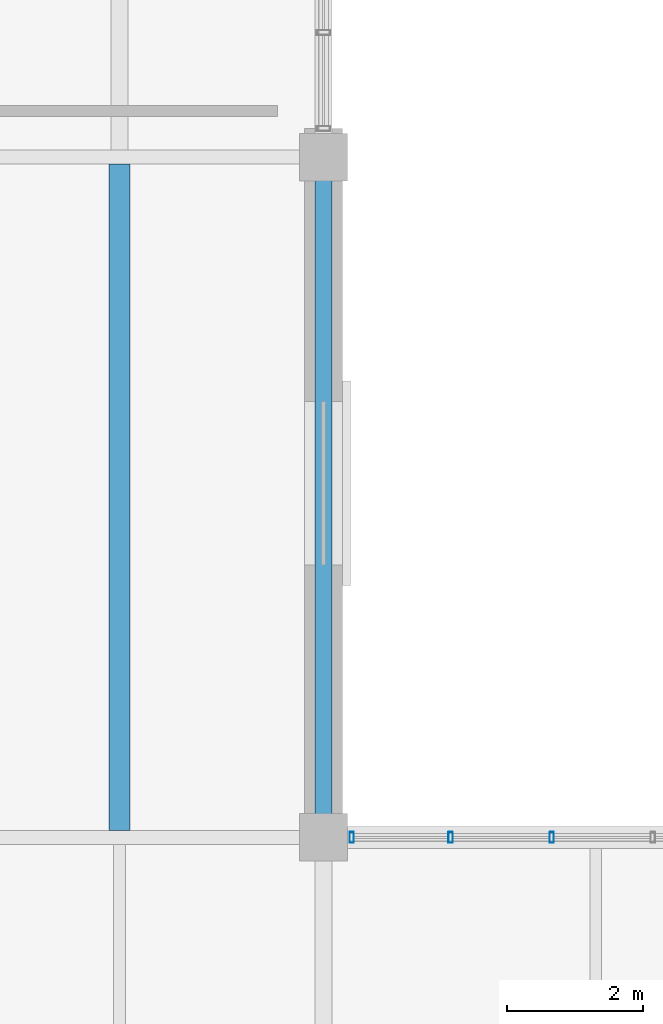
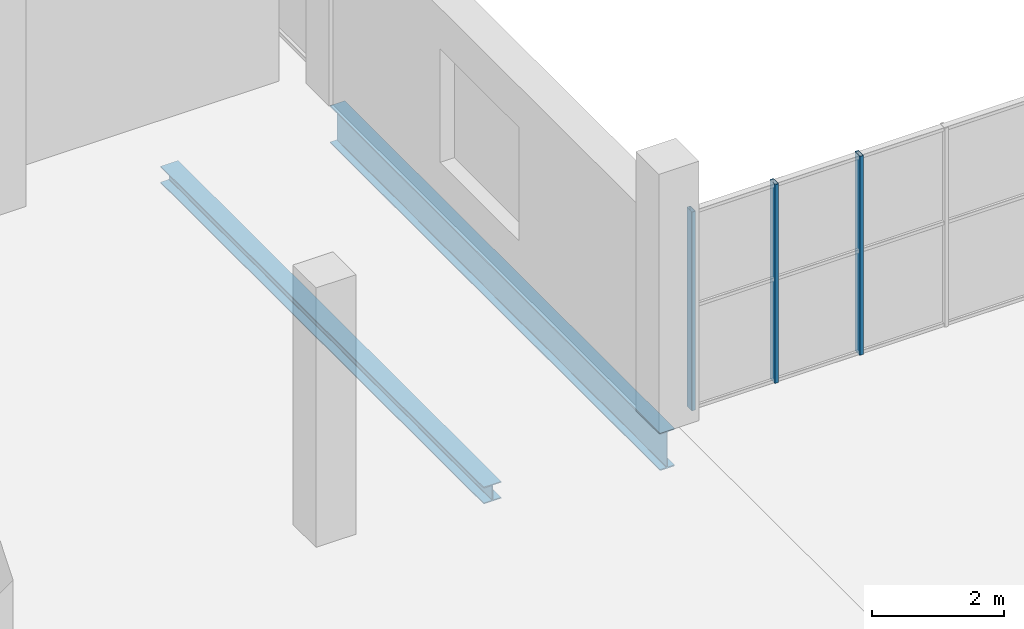
# One storey, part 21 of 114: 3 members, 2 beams, 1 element without a shape of its own.
"""IFC4 building model written with IfcOpenShell, lengths in metres."""

from ifc_helpers import new_model, si_unit, direction, frame, origin, origin_2d, place, context, subcontext, project, spatial, hollow_rectangle, i_section, extrude, material, material_profile, profile_set, type_object, element, aggregate, save


model = new_model("IFC4")

# Units and contexts
model_context = context("Model", 3, precision=1e-05, world=origin(), true_north=direction((0.0, 1.0)))
body_context = subcontext(model_context, "Body", "Model", "MODEL_VIEW")
ifc_project = project(units=[si_unit("LENGTHUNIT", "METRE"), si_unit("AREAUNIT", "SQUARE_METRE"), si_unit("VOLUMEUNIT", "CUBIC_METRE"), si_unit("PLANEANGLEUNIT", "RADIAN"), si_unit("MASSUNIT", "GRAM", prefix="KILO")], contexts=[model_context])

# Site, building, storey
site_placement = place(None, origin())
site = spatial("IfcSite", under=ifc_project, at=site_placement, CompositionType="ELEMENT")
building_placement = place(site_placement, origin())
building = spatial("IfcBuilding", under=site, at=building_placement, Name="Verrall Gate Interchange", CompositionType="ELEMENT")
storey_placement = place(building_placement, frame((0.0, 0.0, 6.60009765625)))
storey = spatial("IfcBuildingStorey", under=building, at=storey_placement, Name="L02", CompositionType="ELEMENT", Elevation=6.60009765625)

# Beam
ifc_material_1 = material(Name="Structural Steel CSA G40.21 350WT Cat 4", Category="steel")
ifc_material_profile_1 = material_profile(ifc_material_1, i_section(OverallWidth=0.256103515625, OverallDepth=0.693115234375, WebThickness=0.01318359375, FlangeThickness=0.02001953125, FilletRadius=0.01611328125, at=origin_2d()), Name="W690x170")
ifc_profile_set_1 = profile_set([ifc_material_profile_1], Name="Structural Steel CSA G40.21 350WT Cat 4")
beam_type_1 = type_object("IfcBeamType", Name="B-07 Structural Beam W690x170", PredefinedType="BEAM", material=ifc_profile_set_1)
beam_1_placement = place(storey_placement, frame((36.0, 56.0, -0.626708984375), z_axis=(0.0, 1.0, 0.0), x_axis=(-1.0, 0.0, 0.0)))
element("IfcBeam", 1, at=beam_1_placement, inside=storey, type_object=beam_type_1, Name="L02 Girder BM-L02-1728 (B-07)", PredefinedType="BEAM", context=body_context, shape_type="SweptSolid", body=[
    extrude(i_section(OverallWidth=0.256103515625, OverallDepth=0.693115234375, WebThickness=0.01318359375, FlangeThickness=0.02001953125, FilletRadius=0.01611328125, at=origin_2d()), origin(), (0.0, 0.0, 1.0), 10.0),
])

# Curtain wall, members
ifc_material_2 = material(Name="Thermally Broken Anodized Aluminium Curtain Wall Framing", Category="aluminium")
curtain_wall_type = type_object("IfcCurtainWallType", Name="CW-22 Unitized Curtain Wall 7434x3680", PredefinedType="NOTDEFINED", material=ifc_material_2)
curtain_wall_placement = place(storey_placement, origin())
curtain_wall = element("IfcCurtainWall", 2, at=curtain_wall_placement, inside=storey, type_object=curtain_wall_type, Name="L02 Unitized Curtain Wall CW-L02-084", PredefinedType="NOTDEFINED")
ifc_material_3 = material(Name="Thermally Broken Anodized Aluminium Curtain Wall Framing", Category="aluminium")
ifc_material_profile_2 = material_profile(ifc_material_3, hollow_rectangle(XDim=0.06494140625, YDim=0.159912109375, WallThickness=0.00390625, InnerFilletRadius=0.00390625, OuterFilletRadius=0.008056640625, at=origin_2d()), Name="CWM160x65x4")
ifc_profile_set_2 = profile_set([ifc_material_profile_2], Name="Thermally Broken Anodized Aluminium Curtain Wall Framing")
member_type = type_object("IfcMemberType", Name="CM-01 Curtain Mullion CWM160x65x4", PredefinedType="MULLION", material=ifc_profile_set_2)
member_1_placement = place(storey_placement, frame((39.35546875, 56.0, 0.0), z_axis=(0.0, 0.0, 1.0), x_axis=(-1.0, 0.0, 0.0)))
member_1 = element("IfcMember", 3, at=member_1_placement, type_object=member_type, Name="CW-L02-084 Mullion 4", PredefinedType="MULLION", context=body_context, shape_type="SweptSolid", body=[
    extrude(hollow_rectangle(XDim=0.06494140625, YDim=0.159912109375, WallThickness=0.00390625, InnerFilletRadius=0.00390625, OuterFilletRadius=0.008056640625, at=origin_2d()), origin(), (0.0, 0.0, 1.0), 3.679931640625),
])
member_2_placement = place(storey_placement, frame((37.86865234375, 56.0, 0.0), z_axis=(0.0, 0.0, 1.0), x_axis=(-1.0, 0.0, 0.0)))
member_2 = element("IfcMember", 4, at=member_2_placement, type_object=member_type, Name="CW-L02-084 Mullion 5", PredefinedType="MULLION", context=body_context, shape_type="SweptSolid", body=[
    extrude(hollow_rectangle(XDim=0.06494140625, YDim=0.159912109375, WallThickness=0.00390625, InnerFilletRadius=0.00390625, OuterFilletRadius=0.008056640625, at=origin_2d()), origin(), (0.0, 0.0, 1.0), 3.679931640625),
])
member_3_placement = place(storey_placement, frame((36.41455078125, 56.0, 0.0), z_axis=(0.0, 0.0, 1.0), x_axis=(-1.0, 0.0, 0.0)))
member_3 = element("IfcMember", 5, at=member_3_placement, type_object=member_type, Name="CW-L02-084 Mullion 6", PredefinedType="MULLION", context=body_context, shape_type="SweptSolid", body=[
    extrude(hollow_rectangle(XDim=0.06494140625, YDim=0.159912109375, WallThickness=0.00390625, InnerFilletRadius=0.00390625, OuterFilletRadius=0.008056640625, at=origin_2d()), origin(), (0.0, 0.0, 1.0), 3.679931640625),
])
aggregate(curtain_wall, [member_1, member_2, member_3])

# Beam
ifc_material_4 = material(Name="Structural Steel CSA G40.21 350W", Category="steel")
ifc_material_profile_3 = material_profile(ifc_material_4, i_section(OverallWidth=0.306884765625, OverallDepth=0.31396484375, WebThickness=0.011962890625, FlangeThickness=0.018798828125, FilletRadius=0.013916015625, at=origin_2d()), Name="W310x118")
ifc_profile_set_3 = profile_set([ifc_material_profile_3], Name="Structural Steel CSA G40.21 350W")
beam_type_2 = type_object("IfcBeamType", Name="J-02 Floor Joist W310x118", PredefinedType="JOIST", material=ifc_profile_set_3)
beam_2_placement = place(storey_placement, frame((33.0, 56.1025390625, -0.43701171875), z_axis=(0.0, 1.0, 0.0), x_axis=(-1.0, 0.0, 0.0)))
element("IfcBeam", 6, at=beam_2_placement, inside=storey, type_object=beam_type_2, Name="L02 Secondary Floor Joist JST-L02-1963", PredefinedType="JOIST", context=body_context, shape_type="SweptSolid", body=[
    extrude(i_section(OverallWidth=0.306884765625, OverallDepth=0.31396484375, WebThickness=0.011962890625, FlangeThickness=0.018798828125, FilletRadius=0.013916015625, at=origin_2d()), origin(), (0.0, 0.0, 1.0), 9.794921875),
])

save(model, "model.ifc")
